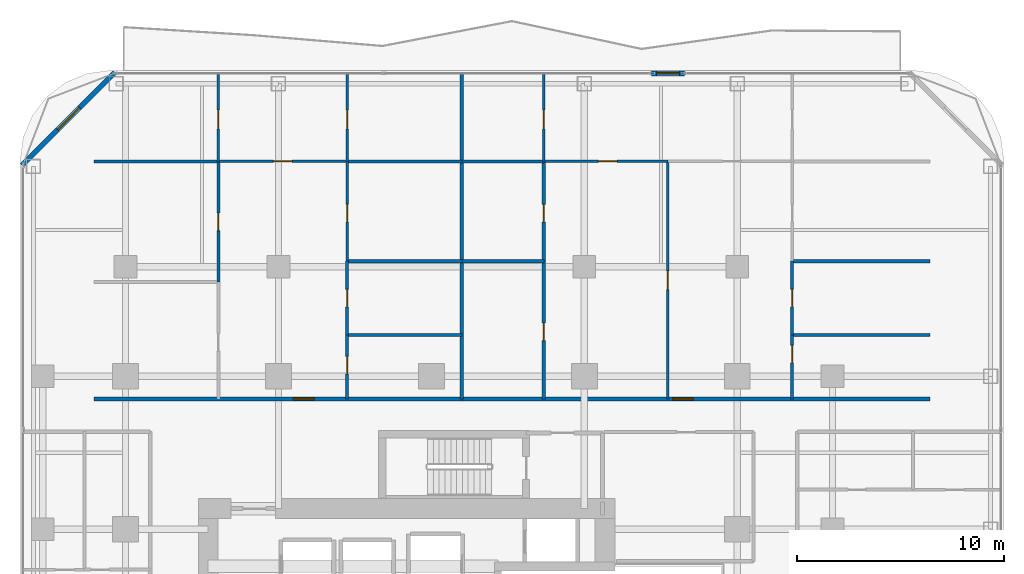
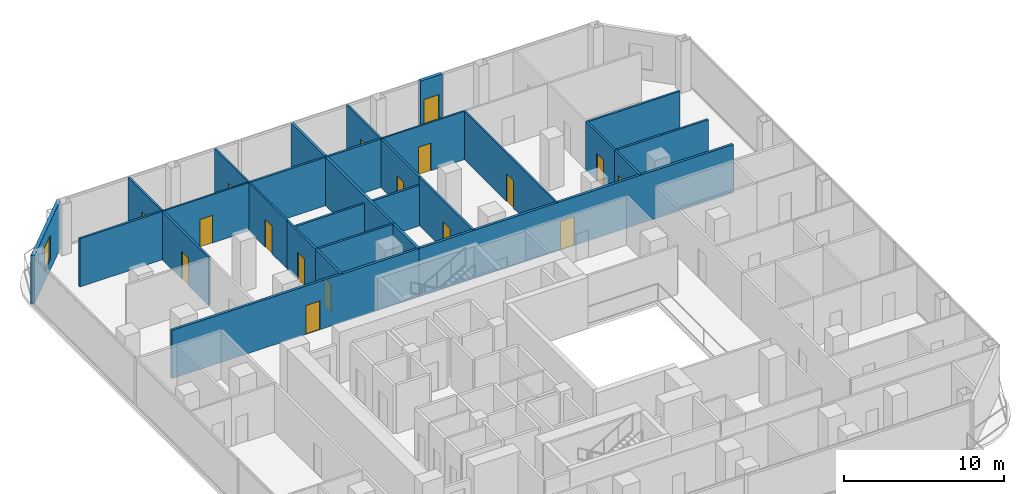
# One storey, part 23 of 27: 27 walls, 17 doors, 1 window, 18 openings.
"""IFC4 building model written with IfcOpenShell, lengths in metres."""

from ifc_helpers import new_model, si_unit, direction, frame, frame_2d, origin, place, context, subcontext, project, spatial, rectangle, extrude, material, layer, layer_set, type_object, element, fill, save


model = new_model("IFC4")

# Units and contexts
model_context = context("Model", 3, precision=1e-05, world=origin(), true_north=direction((0.0, 1.0)))
body_context = subcontext(model_context, "Body", "Model", "MODEL_VIEW")
ifc_project = project(units=[si_unit("LENGTHUNIT", "METRE"), si_unit("AREAUNIT", "SQUARE_METRE"), si_unit("VOLUMEUNIT", "CUBIC_METRE"), si_unit("PLANEANGLEUNIT", "RADIAN"), si_unit("MASSUNIT", "GRAM", prefix="KILO")], contexts=[model_context])

# Site, building, storey
site_placement = place(None, origin())
site = spatial("IfcSite", under=ifc_project, at=site_placement, CompositionType="ELEMENT")
building_placement = place(site_placement, origin())
building = spatial("IfcBuilding", under=site, at=building_placement, Name="Khorvyn Point Tower", CompositionType="ELEMENT")
storey_placement = place(building_placement, frame((0.0, 0.0, 125.10009765625)))
storey = spatial("IfcBuildingStorey", under=building, at=storey_placement, Name="L31", CompositionType="ELEMENT", Elevation=125.10009765625)

# Wall, opening, door
ifc_material_1 = material(Name="Double acoustic gypsum on twin steel stud", Category="steel")
ifc_layer_1 = layer(ifc_material_1, 0.179931640625)
ifc_layer_set_1 = layer_set([ifc_layer_1], Name="Acoustic Double-Stud Apartment Demising Wall 180")
wall_type_1 = type_object("IfcWallType", Name="Acoustic Double-Stud Apartment Demising Wall 180", PredefinedType="PARTITIONING", material=ifc_layer_set_1)
wall_1_placement = place(storey_placement, frame((-16.320068359375, 13.699951171875, 0.0), z_axis=(0.0, 0.0, 1.0), x_axis=(1.0, 0.0, 0.0)))
wall_1 = element("IfcWall", 1, at=wall_1_placement, inside=storey, type_object=wall_type_1, Name="Wall", PredefinedType="PARTITIONING", context=body_context, shape_type="SweptSolid", body=[
    extrude(rectangle(XDim=17.794189453125, YDim=0.179931640625, at=frame_2d((8.89697265625, 0.0))), origin(), (0.0, 0.0, 1.0), 3.679931640625),
])
opening_1_placement = place(wall_1_placement, frame((9.650390625, 0.0, 0.0)))
opening_1 = element("IfcOpeningElement", 2, at=opening_1_placement, cuts=wall_1, Name="Opening ID-AP60", PredefinedType="OPENING", context=body_context, shape_type="SweptSolid", body=[
    extrude(rectangle(XDim=1.0, YDim=2.199951171875, at=frame_2d((0.5, 1.10009765625))), frame((0.0, 0.099853515625, 0.0), z_axis=(0.0, -1.0, 0.0), x_axis=(1.0, 0.0, 0.0)), (0.0, 0.0, 1.0), 0.199951171875),
])
ifc_material_2 = material(Name="Engineered hardwood fire-rated leaf", Category="wood")
door_type_1 = type_object("IfcDoorType", Name="Acoustic Solid-Core Timber Apartment Entrance Door 1000x2200", OperationType="NOTDEFINED", PredefinedType="DOOR", material=ifc_material_2)
door_1_placement = place(opening_1_placement, origin())
door_1 = element("IfcDoor", 3, at=door_1_placement, inside=storey, type_object=door_type_1, Name="Door", OperationType="SINGLE_SWING_LEFT", OverallHeight=2.199951171875, OverallWidth=1.0, PredefinedType="DOOR", context=body_context, shape_type="SweptSolid", body=[
    extrude(rectangle(XDim=1.0, YDim=2.199951171875, at=frame_2d((0.5, 1.10009765625))), frame((0.0, 0.02490234375, 0.0), z_axis=(0.0, -1.0, 0.0), x_axis=(1.0, 0.0, 0.0)), (0.0, 0.0, 1.0), 0.050048828125),
])
fill(opening_1, door_1)

wall_2_placement = place(storey_placement, frame((1.47412109375, 13.699951171875, 0.0), z_axis=(0.0, 0.0, 1.0), x_axis=(1.0, 0.0, 0.0)))
wall_2 = element("IfcWall", 4, at=wall_2_placement, inside=storey, type_object=wall_type_1, Name="Wall", PredefinedType="PARTITIONING", context=body_context, shape_type="SweptSolid", body=[
    extrude(rectangle(XDim=22.64599609375, YDim=0.179931640625, at=frame_2d((11.322998046875, 0.0))), origin(), (0.0, 0.0, 1.0), 3.679931640625),
])
opening_2_placement = place(wall_2_placement, frame((10.19580078125, 0.0, 0.0)))
opening_2 = element("IfcOpeningElement", 5, at=opening_2_placement, cuts=wall_2, Name="Opening ID-AP60", PredefinedType="OPENING", context=body_context, shape_type="SweptSolid", body=[
    extrude(rectangle(XDim=1.0, YDim=2.199951171875, at=frame_2d((0.5, 1.10009765625))), frame((0.0, 0.099853515625, 0.0), z_axis=(0.0, -1.0, 0.0), x_axis=(1.0, 0.0, 0.0)), (0.0, 0.0, 1.0), 0.199951171875),
])
door_2_placement = place(opening_2_placement, origin())
door_2 = element("IfcDoor", 6, at=door_2_placement, inside=storey, type_object=door_type_1, Name="Door", OperationType="SINGLE_SWING_RIGHT", OverallHeight=2.199951171875, OverallWidth=1.0, PredefinedType="DOOR", context=body_context, shape_type="SweptSolid", body=[
    extrude(rectangle(XDim=1.0, YDim=2.199951171875, at=frame_2d((0.5, 1.10009765625))), frame((0.0, 0.02490234375, 0.0), z_axis=(0.0, -1.0, 0.0), x_axis=(1.0, 0.0, 0.0)), (0.0, 0.0, 1.0), 0.050048828125),
])
fill(opening_2, door_2)

# Wall
wall_3_placement = place(storey_placement, frame((1.47412109375, 13.699951171875, 0.0), z_axis=(0.0, 0.0, 1.0), x_axis=(0.0, 1.0, 0.0)))
element("IfcWall", 7, at=wall_3_placement, inside=storey, type_object=wall_type_1, Name="Wall", PredefinedType="PARTITIONING", context=body_context, shape_type="SweptSolid", body=[
    extrude(rectangle(XDim=15.72998046875, YDim=0.179931640625, at=frame_2d((7.864990234375, 0.0))), origin(), (0.0, 0.0, 1.0), 3.679931640625),
])

# Wall, opening, door
ifc_material_3 = material(Name="Pale anodised aluminium rainscreen on steel stud", Category="steel")
ifc_layer_2 = layer(ifc_material_3, 0.239990234375)
ifc_layer_set_2 = layer_set([ifc_layer_2], Name="Anodised Aluminium Insulated Corner Spandrel Wall 240")
wall_type_2 = type_object("IfcWallType", Name="Anodised Aluminium Insulated Corner Spandrel Wall 240", PredefinedType="SOLIDWALL", material=ifc_layer_set_2)
wall_4_placement = place(storey_placement, frame((10.654052734375, 29.449951171875, 0.0), z_axis=(0.0, 0.0, 1.0), x_axis=(1.0, 0.0, 0.0)))
wall_4 = element("IfcWall", 8, at=wall_4_placement, inside=storey, type_object=wall_type_2, Name="L31 North Outdoor Threshold Wall", PredefinedType="SOLIDWALL", context=body_context, shape_type="SweptSolid", body=[
    extrude(rectangle(XDim=1.579833984375, YDim=0.239990234375, at=frame_2d((0.7900390625, 0.0))), origin(), (0.0, 0.0, 1.0), 3.679931640625),
])
opening_3_placement = place(wall_4_placement, frame((0.239990234375, 0.0, 0.0)))
opening_3 = element("IfcOpeningElement", 9, at=opening_3_placement, cuts=wall_4, Name="Opening BD-1122", PredefinedType="OPENING", context=body_context, shape_type="SweptSolid", body=[
    extrude(rectangle(XDim=1.10009765625, YDim=2.199951171875, at=frame_2d((0.550048828125, 1.10009765625))), frame((0.0, 0.1298828125, 0.0), z_axis=(0.0, -1.0, 0.0), x_axis=(1.0, 0.0, 0.0)), (0.0, 0.0, 1.0), 0.260009765625),
])
ifc_material_4 = material(Name="Anodised aluminium 6063-T6 and laminated Low-E glass", Category="aluminium")
door_type_2 = type_object("IfcDoorType", Name="Glazed Balcony and Terrace Threshold Door 1100x2200", OperationType="NOTDEFINED", PredefinedType="DOOR", material=ifc_material_4)
door_3_placement = place(opening_3_placement, origin())
door_3 = element("IfcDoor", 10, at=door_3_placement, inside=storey, type_object=door_type_2, Name="L31 North Glazed Balcony Outdoor Door", OperationType="SINGLE_SWING_LEFT", OverallHeight=2.199951171875, OverallWidth=1.10009765625, PredefinedType="DOOR", context=body_context, shape_type="SweptSolid", body=[
    extrude(rectangle(XDim=1.10009765625, YDim=2.199951171875, at=frame_2d((0.550048828125, 1.10009765625))), frame((0.0, 0.02490234375, 0.0), z_axis=(0.0, -1.0, 0.0), x_axis=(1.0, 0.0, 0.0)), (0.0, 0.0, 1.0), 0.050048828125),
])
fill(opening_3, door_3)

# Wall, opening, window
wall_5_placement = place(storey_placement, frame((-19.79248046875, 25.007568359375, 0.0), z_axis=(0.0, 0.0, 1.0), x_axis=(0.707106781187, 0.707106781187, 0.0)))
wall_5 = element("IfcWall", 11, at=wall_5_placement, inside=storey, type_object=wall_type_2, Name="L31 Rounded Corner Wall NW", PredefinedType="SOLIDWALL", context=body_context, shape_type="SweptSolid", body=[
    extrude(rectangle(XDim=6.342529296875, YDim=0.239990234375, at=frame_2d((3.17138671875, 0.0))), origin(), (0.0, 0.0, 1.0), 3.679931640625),
])
opening_4_placement = place(wall_5_placement, frame((2.42138671875, 0.0, 0.800048828125)))
opening_4 = element("IfcOpeningElement", 12, at=opening_4_placement, cuts=wall_5, Name="Opening WN-1518", PredefinedType="OPENING", context=body_context, shape_type="SweptSolid", body=[
    extrude(rectangle(XDim=1.5, YDim=1.85009765625, at=frame_2d((0.75, 0.925048828125))), frame((0.0, 0.1298828125, 0.0), z_axis=(0.0, -1.0, 0.0), x_axis=(1.0, 0.0, 0.0)), (0.0, 0.0, 1.0), 0.260009765625),
])
window_type = type_object("IfcWindowType", Name="Anodised Aluminium Rounded-Corner Panoramic Window 1500x1850", PartitioningType="SINGLE_PANEL", PredefinedType="WINDOW", material=ifc_material_4)
window_placement = place(opening_4_placement, origin())
window = element("IfcWindow", 13, at=window_placement, inside=storey, type_object=window_type, Name="L31 Corner Panoramic Window NW", OverallHeight=1.85009765625, OverallWidth=1.5, PartitioningType="SINGLE_PANEL", PredefinedType="WINDOW", context=body_context, shape_type="SweptSolid", body=[
    extrude(rectangle(XDim=1.5, YDim=1.85009765625, at=frame_2d((0.75, 0.925048828125))), frame((0.0, 0.030029296875, 0.0), z_axis=(0.0, -1.0, 0.0), x_axis=(1.0, 0.0, 0.0)), (0.0, 0.0, 1.0), 0.06005859375),
])
fill(opening_4, window)

# Wall, opening, door
ifc_material_5 = material(Name="Gypsum plasterboard on steel stud", Category="steel")
ifc_layer_3 = layer(ifc_material_5, 0.1201171875)
ifc_layer_set_3 = layer_set([ifc_layer_3], Name="Gypsum Acoustic Stud Room Partition Wall 120")
wall_type_3 = type_object("IfcWallType", Name="Gypsum Acoustic Stud Room Partition Wall 120", PredefinedType="PARTITIONING", material=ifc_layer_set_3)
wall_6_placement = place(storey_placement, frame((-10.305908203125, 25.18994140625, 0.0), z_axis=(0.0, 0.0, 1.0), x_axis=(1.0, 0.0, 0.0)))
wall_6 = element("IfcWall", 14, at=wall_6_placement, inside=storey, type_object=wall_type_3, Name="Wall", PredefinedType="PARTITIONING", context=body_context, shape_type="SweptSolid", body=[
    extrude(rectangle(XDim=6.22802734375, YDim=0.1201171875, at=frame_2d((3.114013671875, 0.0))), origin(), (0.0, 0.0, 1.0), 3.679931640625),
])
opening_5_placement = place(wall_6_placement, frame((2.6640625, 0.0, 0.0)))
opening_5 = element("IfcOpeningElement", 15, at=opening_5_placement, cuts=wall_6, Name="Opening ID-RM90", PredefinedType="OPENING", context=body_context, shape_type="SweptSolid", body=[
    extrude(rectangle(XDim=0.89990234375, YDim=2.10009765625, at=frame_2d((0.449951171875, 1.050048828125))), frame((0.0, 0.070068359375, 0.0), z_axis=(0.0, -1.0, 0.0), x_axis=(1.0, 0.0, 0.0)), (0.0, 0.0, 1.0), 0.14013671875),
])
ifc_material_6 = material(Name="Engineered oak veneer timber", Category="wood")
door_type_3 = type_object("IfcDoorType", Name="Flush Engineered Timber Room Door 900x2100", OperationType="NOTDEFINED", PredefinedType="DOOR", material=ifc_material_6)
door_4_placement = place(opening_5_placement, origin())
door_4 = element("IfcDoor", 16, at=door_4_placement, inside=storey, type_object=door_type_3, Name="Door", OperationType="SINGLE_SWING_RIGHT", OverallHeight=2.10009765625, OverallWidth=0.89990234375, PredefinedType="DOOR", context=body_context, shape_type="SweptSolid", body=[
    extrude(rectangle(XDim=0.89990234375, YDim=2.10009765625, at=frame_2d((0.449951171875, 1.050048828125))), frame((0.0, 0.02490234375, 0.0), z_axis=(0.0, -1.0, 0.0), x_axis=(1.0, 0.0, 0.0)), (0.0, 0.0, 1.0), 0.050048828125),
])
fill(opening_5, door_4)

wall_7_placement = place(storey_placement, frame((-10.305908203125, 25.18994140625, 0.0), z_axis=(0.0, 0.0, 1.0), x_axis=(0.0, 1.0, 0.0)))
wall_7 = element("IfcWall", 17, at=wall_7_placement, inside=storey, type_object=wall_type_3, Name="Wall", PredefinedType="PARTITIONING", context=body_context, shape_type="SweptSolid", body=[
    extrude(rectangle(XDim=4.239990234375, YDim=0.1201171875, at=frame_2d((2.1201171875, 0.0))), origin(), (0.0, 0.0, 1.0), 3.679931640625),
])
opening_6_placement = place(wall_7_placement, frame((1.581298828125, 0.0, 0.0)))
opening_6 = element("IfcOpeningElement", 18, at=opening_6_placement, cuts=wall_7, Name="Opening ID-RM90", PredefinedType="OPENING", context=body_context, shape_type="SweptSolid", body=[
    extrude(rectangle(XDim=0.89990234375, YDim=2.10009765625, at=frame_2d((0.449951171875, 1.050048828125))), frame((0.0, 0.070068359375, 0.0), z_axis=(0.0, -1.0, 0.0), x_axis=(1.0, 0.0, 0.0)), (0.0, 0.0, 1.0), 0.14013671875),
])
door_5_placement = place(opening_6_placement, origin())
door_5 = element("IfcDoor", 19, at=door_5_placement, inside=storey, type_object=door_type_3, Name="Door", OperationType="SINGLE_SWING_LEFT", OverallHeight=2.10009765625, OverallWidth=0.89990234375, PredefinedType="DOOR", context=body_context, shape_type="SweptSolid", body=[
    extrude(rectangle(XDim=0.89990234375, YDim=2.10009765625, at=frame_2d((0.449951171875, 1.050048828125))), frame((0.0, 0.02490234375, 0.0), z_axis=(0.0, -1.0, 0.0), x_axis=(1.0, 0.0, 0.0)), (0.0, 0.0, 1.0), 0.050048828125),
])
fill(opening_6, door_5)

wall_8_placement = place(storey_placement, frame((-4.077880859375, 20.364013671875, 0.0), z_axis=(0.0, 0.0, 1.0), x_axis=(0.0, 1.0, 0.0)))
wall_8 = element("IfcWall", 20, at=wall_8_placement, inside=storey, type_object=wall_type_3, Name="Wall", PredefinedType="PARTITIONING", context=body_context, shape_type="SweptSolid", body=[
    extrude(rectangle(XDim=4.825927734375, YDim=0.1201171875, at=frame_2d((2.4130859375, 0.0))), origin(), (0.0, 0.0, 1.0), 3.679931640625),
])
opening_7_placement = place(wall_8_placement, frame((1.90087890625, 0.0, 0.0)))
opening_7 = element("IfcOpeningElement", 21, at=opening_7_placement, cuts=wall_8, Name="Opening ID-WC85", PredefinedType="OPENING", context=body_context, shape_type="SweptSolid", body=[
    extrude(rectangle(XDim=0.85009765625, YDim=2.10009765625, at=frame_2d((0.425048828125, 1.050048828125))), frame((0.0, 0.070068359375, 0.0), z_axis=(0.0, -1.0, 0.0), x_axis=(1.0, 0.0, 0.0)), (0.0, 0.0, 1.0), 0.14013671875),
])
ifc_material_7 = material(Name="High-pressure laminate on moisture-resistant core", Category="wood")
door_type_4 = type_object("IfcDoorType", Name="Moisture-Resistant Accessible Washroom Door 850x2100", OperationType="NOTDEFINED", PredefinedType="DOOR", material=ifc_material_7)
door_6_placement = place(opening_7_placement, origin())
door_6 = element("IfcDoor", 22, at=door_6_placement, inside=storey, type_object=door_type_4, Name="Door", OperationType="SINGLE_SWING_RIGHT", OverallHeight=2.10009765625, OverallWidth=0.85009765625, PredefinedType="DOOR", context=body_context, shape_type="SweptSolid", body=[
    extrude(rectangle(XDim=0.85009765625, YDim=2.10009765625, at=frame_2d((0.425048828125, 1.050048828125))), frame((0.0, 0.02490234375, 0.0), z_axis=(0.0, -1.0, 0.0), x_axis=(1.0, 0.0, 0.0)), (0.0, 0.0, 1.0), 0.050048828125),
])
fill(opening_7, door_6)

wall_9_placement = place(storey_placement, frame((-4.077880859375, 25.18994140625, 0.0), z_axis=(0.0, 0.0, 1.0), x_axis=(0.0, 1.0, 0.0)))
wall_9 = element("IfcWall", 23, at=wall_9_placement, inside=storey, type_object=wall_type_3, Name="Wall", PredefinedType="PARTITIONING", context=body_context, shape_type="SweptSolid", body=[
    extrude(rectangle(XDim=4.239990234375, YDim=0.1201171875, at=frame_2d((2.1201171875, 0.0))), origin(), (0.0, 0.0, 1.0), 3.679931640625),
])
opening_8_placement = place(wall_9_placement, frame((1.581298828125, 0.0, 0.0)))
opening_8 = element("IfcOpeningElement", 24, at=opening_8_placement, cuts=wall_9, Name="Opening ID-RM90", PredefinedType="OPENING", context=body_context, shape_type="SweptSolid", body=[
    extrude(rectangle(XDim=0.89990234375, YDim=2.10009765625, at=frame_2d((0.449951171875, 1.050048828125))), frame((0.0, 0.070068359375, 0.0), z_axis=(0.0, -1.0, 0.0), x_axis=(1.0, 0.0, 0.0)), (0.0, 0.0, 1.0), 0.14013671875),
])
door_7_placement = place(opening_8_placement, origin())
door_7 = element("IfcDoor", 25, at=door_7_placement, inside=storey, type_object=door_type_3, Name="Door", OperationType="SINGLE_SWING_LEFT", OverallHeight=2.10009765625, OverallWidth=0.89990234375, PredefinedType="DOOR", context=body_context, shape_type="SweptSolid", body=[
    extrude(rectangle(XDim=0.89990234375, YDim=2.10009765625, at=frame_2d((0.449951171875, 1.050048828125))), frame((0.0, 0.02490234375, 0.0), z_axis=(0.0, -1.0, 0.0), x_axis=(1.0, 0.0, 0.0)), (0.0, 0.0, 1.0), 0.050048828125),
])
fill(opening_8, door_7)

wall_10_placement = place(storey_placement, frame((5.43798828125, 25.18994140625, 0.0), z_axis=(0.0, 0.0, 1.0), x_axis=(1.0, 0.0, 0.0)))
wall_10 = element("IfcWall", 26, at=wall_10_placement, inside=storey, type_object=wall_type_3, Name="Wall", PredefinedType="PARTITIONING", context=body_context, shape_type="SweptSolid", body=[
    extrude(rectangle(XDim=6.006103515625, YDim=0.1201171875, at=frame_2d((3.0029296875, 0.0))), origin(), (0.0, 0.0, 1.0), 3.679931640625),
])
opening_9_placement = place(wall_10_placement, frame((2.6416015625, 0.0, 0.0)))
opening_9 = element("IfcOpeningElement", 27, at=opening_9_placement, cuts=wall_10, Name="Opening ID-RM90", PredefinedType="OPENING", context=body_context, shape_type="SweptSolid", body=[
    extrude(rectangle(XDim=0.89990234375, YDim=2.10009765625, at=frame_2d((0.449951171875, 1.050048828125))), frame((0.0, 0.070068359375, 0.0), z_axis=(0.0, -1.0, 0.0), x_axis=(1.0, 0.0, 0.0)), (0.0, 0.0, 1.0), 0.14013671875),
])
door_8_placement = place(opening_9_placement, origin())
door_8 = element("IfcDoor", 28, at=door_8_placement, inside=storey, type_object=door_type_3, Name="Door", OperationType="SINGLE_SWING_LEFT", OverallHeight=2.10009765625, OverallWidth=0.89990234375, PredefinedType="DOOR", context=body_context, shape_type="SweptSolid", body=[
    extrude(rectangle(XDim=0.89990234375, YDim=2.10009765625, at=frame_2d((0.449951171875, 1.050048828125))), frame((0.0, 0.02490234375, 0.0), z_axis=(0.0, -1.0, 0.0), x_axis=(1.0, 0.0, 0.0)), (0.0, 0.0, 1.0), 0.050048828125),
])
fill(opening_9, door_8)

wall_11_placement = place(storey_placement, frame((11.444091796875, 13.699951171875, 0.0), z_axis=(0.0, 0.0, 1.0), x_axis=(0.0, 1.0, 0.0)))
wall_11 = element("IfcWall", 29, at=wall_11_placement, inside=storey, type_object=wall_type_3, Name="Wall", PredefinedType="PARTITIONING", context=body_context, shape_type="SweptSolid", body=[
    extrude(rectangle(XDim=11.489990234375, YDim=0.1201171875, at=frame_2d((5.7451171875, 0.0))), origin(), (0.0, 0.0, 1.0), 3.679931640625),
])
opening_10_placement = place(wall_11_placement, frame((5.294921875, 0.0, 0.0)))
opening_10 = element("IfcOpeningElement", 30, at=opening_10_placement, cuts=wall_11, Name="Opening ID-RM90", PredefinedType="OPENING", context=body_context, shape_type="SweptSolid", body=[
    extrude(rectangle(XDim=0.89990234375, YDim=2.10009765625, at=frame_2d((0.449951171875, 1.050048828125))), frame((0.0, 0.070068359375, 0.0), z_axis=(0.0, -1.0, 0.0), x_axis=(1.0, 0.0, 0.0)), (0.0, 0.0, 1.0), 0.14013671875),
])
door_9_placement = place(opening_10_placement, origin())
door_9 = element("IfcDoor", 31, at=door_9_placement, inside=storey, type_object=door_type_3, Name="Door", OperationType="SINGLE_SWING_LEFT", OverallHeight=2.10009765625, OverallWidth=0.89990234375, PredefinedType="DOOR", context=body_context, shape_type="SweptSolid", body=[
    extrude(rectangle(XDim=0.89990234375, YDim=2.10009765625, at=frame_2d((0.449951171875, 1.050048828125))), frame((0.0, 0.02490234375, 0.0), z_axis=(0.0, -1.0, 0.0), x_axis=(1.0, 0.0, 0.0)), (0.0, 0.0, 1.0), 0.050048828125),
])
fill(opening_10, door_9)

wall_12_placement = place(storey_placement, frame((5.43798828125, 25.18994140625, 0.0), z_axis=(0.0, 0.0, 1.0), x_axis=(0.0, 1.0, 0.0)))
wall_12 = element("IfcWall", 32, at=wall_12_placement, inside=storey, type_object=wall_type_3, Name="Wall", PredefinedType="PARTITIONING", context=body_context, shape_type="SweptSolid", body=[
    extrude(rectangle(XDim=4.239990234375, YDim=0.1201171875, at=frame_2d((2.1201171875, 0.0))), origin(), (0.0, 0.0, 1.0), 3.679931640625),
])
opening_11_placement = place(wall_12_placement, frame((1.581298828125, 0.0, 0.0)))
opening_11 = element("IfcOpeningElement", 33, at=opening_11_placement, cuts=wall_12, Name="Opening ID-RM90", PredefinedType="OPENING", context=body_context, shape_type="SweptSolid", body=[
    extrude(rectangle(XDim=0.89990234375, YDim=2.10009765625, at=frame_2d((0.449951171875, 1.050048828125))), frame((0.0, 0.070068359375, 0.0), z_axis=(0.0, -1.0, 0.0), x_axis=(1.0, 0.0, 0.0)), (0.0, 0.0, 1.0), 0.14013671875),
])
door_10_placement = place(opening_11_placement, origin())
door_10 = element("IfcDoor", 34, at=door_10_placement, inside=storey, type_object=door_type_3, Name="Door", OperationType="SINGLE_SWING_RIGHT", OverallHeight=2.10009765625, OverallWidth=0.89990234375, PredefinedType="DOOR", context=body_context, shape_type="SweptSolid", body=[
    extrude(rectangle(XDim=0.89990234375, YDim=2.10009765625, at=frame_2d((0.449951171875, 1.050048828125))), frame((0.0, 0.02490234375, 0.0), z_axis=(0.0, -1.0, 0.0), x_axis=(1.0, 0.0, 0.0)), (0.0, 0.0, 1.0), 0.050048828125),
])
fill(opening_11, door_10)

ifc_material_8 = material(Name="Moisture-resistant gypsum and cement board", Category="gypsum")
ifc_layer_4 = layer(ifc_material_8, 0.14990234375)
ifc_layer_set_4 = layer_set([ifc_layer_4], Name="Moisture-Resistant Wet-Room Partition Wall 150")
wall_type_4 = type_object("IfcWallType", Name="Moisture-Resistant Wet-Room Partition Wall 150", PredefinedType="PARTITIONING", material=ifc_layer_set_4)
wall_13_placement = place(storey_placement, frame((-10.305908203125, 19.35302734375, 0.0), z_axis=(0.0, 0.0, 1.0), x_axis=(0.0, 1.0, 0.0)))
wall_13 = element("IfcWall", 35, at=wall_13_placement, inside=storey, type_object=wall_type_4, Name="Wall", PredefinedType="PARTITIONING", context=body_context, shape_type="SweptSolid", body=[
    extrude(rectangle(XDim=5.8369140625, YDim=0.14990234375, at=frame_2d((2.91845703125, 0.0))), origin(), (0.0, 0.0, 1.0), 3.679931640625),
])
opening_12_placement = place(wall_13_placement, frame((2.493408203125, 0.0, 0.0)))
opening_12 = element("IfcOpeningElement", 36, at=opening_12_placement, cuts=wall_13, Name="Opening ID-WC85", PredefinedType="OPENING", context=body_context, shape_type="SweptSolid", body=[
    extrude(rectangle(XDim=0.85009765625, YDim=2.10009765625, at=frame_2d((0.425048828125, 1.050048828125))), frame((0.0, 0.0849609375, 0.0), z_axis=(0.0, -1.0, 0.0), x_axis=(1.0, 0.0, 0.0)), (0.0, 0.0, 1.0), 0.169921875),
])
door_11_placement = place(opening_12_placement, origin())
door_11 = element("IfcDoor", 37, at=door_11_placement, inside=storey, type_object=door_type_4, Name="Door", OperationType="SINGLE_SWING_RIGHT", OverallHeight=2.10009765625, OverallWidth=0.85009765625, PredefinedType="DOOR", context=body_context, shape_type="SweptSolid", body=[
    extrude(rectangle(XDim=0.85009765625, YDim=2.10009765625, at=frame_2d((0.425048828125, 1.050048828125))), frame((0.0, 0.02490234375, 0.0), z_axis=(0.0, -1.0, 0.0), x_axis=(1.0, 0.0, 0.0)), (0.0, 0.0, 1.0), 0.050048828125),
])
fill(opening_12, door_11)

wall_14_placement = place(storey_placement, frame((-4.077880859375, 13.699951171875, 0.0), z_axis=(0.0, 0.0, 1.0), x_axis=(0.0, 1.0, 0.0)))
wall_14 = element("IfcWall", 38, at=wall_14_placement, inside=storey, type_object=wall_type_4, Name="Wall", PredefinedType="PARTITIONING", context=body_context, shape_type="SweptSolid", body=[
    extrude(rectangle(XDim=3.10205078125, YDim=0.14990234375, at=frame_2d((1.551025390625, 0.0))), origin(), (0.0, 0.0, 1.0), 3.679931640625),
])
opening_13_placement = place(wall_14_placement, frame((1.2138671875, 0.0, 0.0)))
opening_13 = element("IfcOpeningElement", 39, at=opening_13_placement, cuts=wall_14, Name="Opening ID-WC85", PredefinedType="OPENING", context=body_context, shape_type="SweptSolid", body=[
    extrude(rectangle(XDim=0.85009765625, YDim=2.10009765625, at=frame_2d((0.425048828125, 1.050048828125))), frame((0.0, 0.0849609375, 0.0), z_axis=(0.0, -1.0, 0.0), x_axis=(1.0, 0.0, 0.0)), (0.0, 0.0, 1.0), 0.169921875),
])
door_12_placement = place(opening_13_placement, origin())
door_12 = element("IfcDoor", 40, at=door_12_placement, inside=storey, type_object=door_type_4, Name="Door", OperationType="SINGLE_SWING_RIGHT", OverallHeight=2.10009765625, OverallWidth=0.85009765625, PredefinedType="DOOR", context=body_context, shape_type="SweptSolid", body=[
    extrude(rectangle(XDim=0.85009765625, YDim=2.10009765625, at=frame_2d((0.425048828125, 1.050048828125))), frame((0.0, 0.02490234375, 0.0), z_axis=(0.0, -1.0, 0.0), x_axis=(1.0, 0.0, 0.0)), (0.0, 0.0, 1.0), 0.050048828125),
])
fill(opening_13, door_12)

wall_15_placement = place(storey_placement, frame((-4.077880859375, 16.802001953125, 0.0), z_axis=(0.0, 0.0, 1.0), x_axis=(0.0, 1.0, 0.0)))
wall_15 = element("IfcWall", 41, at=wall_15_placement, inside=storey, type_object=wall_type_4, Name="Wall", PredefinedType="PARTITIONING", context=body_context, shape_type="SweptSolid", body=[
    extrude(rectangle(XDim=3.56201171875, YDim=0.14990234375, at=frame_2d((1.781005859375, 0.0))), origin(), (0.0, 0.0, 1.0), 3.679931640625),
])
opening_14_placement = place(wall_15_placement, frame((1.35595703125, 0.0, 0.0)))
opening_14 = element("IfcOpeningElement", 42, at=opening_14_placement, cuts=wall_15, Name="Opening ID-WC85", PredefinedType="OPENING", context=body_context, shape_type="SweptSolid", body=[
    extrude(rectangle(XDim=0.85009765625, YDim=2.10009765625, at=frame_2d((0.425048828125, 1.050048828125))), frame((0.0, 0.0849609375, 0.0), z_axis=(0.0, -1.0, 0.0), x_axis=(1.0, 0.0, 0.0)), (0.0, 0.0, 1.0), 0.169921875),
])
door_13_placement = place(opening_14_placement, origin())
door_13 = element("IfcDoor", 43, at=door_13_placement, inside=storey, type_object=door_type_4, Name="Door", OperationType="SINGLE_SWING_LEFT", OverallHeight=2.10009765625, OverallWidth=0.85009765625, PredefinedType="DOOR", context=body_context, shape_type="SweptSolid", body=[
    extrude(rectangle(XDim=0.85009765625, YDim=2.10009765625, at=frame_2d((0.425048828125, 1.050048828125))), frame((0.0, 0.02490234375, 0.0), z_axis=(0.0, -1.0, 0.0), x_axis=(1.0, 0.0, 0.0)), (0.0, 0.0, 1.0), 0.050048828125),
])
fill(opening_14, door_13)

wall_16_placement = place(storey_placement, frame((5.43798828125, 13.699951171875, 0.0), z_axis=(0.0, 0.0, 1.0), x_axis=(0.0, 1.0, 0.0)))
wall_16 = element("IfcWall", 44, at=wall_16_placement, inside=storey, type_object=wall_type_4, Name="Wall", PredefinedType="PARTITIONING", context=body_context, shape_type="SweptSolid", body=[
    extrude(rectangle(XDim=6.6640625, YDim=0.14990234375, at=frame_2d((3.33203125, 0.0))), origin(), (0.0, 0.0, 1.0), 3.679931640625),
])
opening_15_placement = place(wall_16_placement, frame((2.818359375, 0.0, 0.0)))
opening_15 = element("IfcOpeningElement", 45, at=opening_15_placement, cuts=wall_16, Name="Opening ID-WC85", PredefinedType="OPENING", context=body_context, shape_type="SweptSolid", body=[
    extrude(rectangle(XDim=0.85009765625, YDim=2.10009765625, at=frame_2d((0.425048828125, 1.050048828125))), frame((0.0, 0.0849609375, 0.0), z_axis=(0.0, -1.0, 0.0), x_axis=(1.0, 0.0, 0.0)), (0.0, 0.0, 1.0), 0.169921875),
])
door_14_placement = place(opening_15_placement, origin())
door_14 = element("IfcDoor", 46, at=door_14_placement, inside=storey, type_object=door_type_4, Name="Door", OperationType="SINGLE_SWING_RIGHT", OverallHeight=2.10009765625, OverallWidth=0.85009765625, PredefinedType="DOOR", context=body_context, shape_type="SweptSolid", body=[
    extrude(rectangle(XDim=0.85009765625, YDim=2.10009765625, at=frame_2d((0.425048828125, 1.050048828125))), frame((0.0, 0.02490234375, 0.0), z_axis=(0.0, -1.0, 0.0), x_axis=(1.0, 0.0, 0.0)), (0.0, 0.0, 1.0), 0.050048828125),
])
fill(opening_15, door_14)

wall_17_placement = place(storey_placement, frame((5.43798828125, 20.364013671875, 0.0), z_axis=(0.0, 0.0, 1.0), x_axis=(0.0, 1.0, 0.0)))
wall_17 = element("IfcWall", 47, at=wall_17_placement, inside=storey, type_object=wall_type_4, Name="Wall", PredefinedType="PARTITIONING", context=body_context, shape_type="SweptSolid", body=[
    extrude(rectangle(XDim=4.825927734375, YDim=0.14990234375, at=frame_2d((2.4130859375, 0.0))), origin(), (0.0, 0.0, 1.0), 3.679931640625),
])
opening_16_placement = place(wall_17_placement, frame((1.90087890625, 0.0, 0.0)))
opening_16 = element("IfcOpeningElement", 48, at=opening_16_placement, cuts=wall_17, Name="Opening ID-WC85", PredefinedType="OPENING", context=body_context, shape_type="SweptSolid", body=[
    extrude(rectangle(XDim=0.85009765625, YDim=2.10009765625, at=frame_2d((0.425048828125, 1.050048828125))), frame((0.0, 0.0849609375, 0.0), z_axis=(0.0, -1.0, 0.0), x_axis=(1.0, 0.0, 0.0)), (0.0, 0.0, 1.0), 0.169921875),
])
door_15_placement = place(opening_16_placement, origin())
door_15 = element("IfcDoor", 49, at=door_15_placement, inside=storey, type_object=door_type_4, Name="Door", OperationType="SINGLE_SWING_LEFT", OverallHeight=2.10009765625, OverallWidth=0.85009765625, PredefinedType="DOOR", context=body_context, shape_type="SweptSolid", body=[
    extrude(rectangle(XDim=0.85009765625, YDim=2.10009765625, at=frame_2d((0.425048828125, 1.050048828125))), frame((0.0, 0.02490234375, 0.0), z_axis=(0.0, -1.0, 0.0), x_axis=(1.0, 0.0, 0.0)), (0.0, 0.0, 1.0), 0.050048828125),
])
fill(opening_16, door_15)

wall_18_placement = place(storey_placement, frame((17.449951171875, 13.699951171875, 0.0), z_axis=(0.0, 0.0, 1.0), x_axis=(0.0, 1.0, 0.0)))
wall_18 = element("IfcWall", 50, at=wall_18_placement, inside=storey, type_object=wall_type_4, Name="Wall", PredefinedType="PARTITIONING", context=body_context, shape_type="SweptSolid", body=[
    extrude(rectangle(XDim=3.10205078125, YDim=0.14990234375, at=frame_2d((1.551025390625, 0.0))), origin(), (0.0, 0.0, 1.0), 3.679931640625),
])
opening_17_placement = place(wall_18_placement, frame((1.74072265625, 0.0, 0.0)))
opening_17 = element("IfcOpeningElement", 51, at=opening_17_placement, cuts=wall_18, Name="Opening ID-WC85", PredefinedType="OPENING", context=body_context, shape_type="SweptSolid", body=[
    extrude(rectangle(XDim=0.85009765625, YDim=2.10009765625, at=frame_2d((0.425048828125, 1.050048828125))), frame((0.0, 0.0849609375, 0.0), z_axis=(0.0, -1.0, 0.0), x_axis=(1.0, 0.0, 0.0)), (0.0, 0.0, 1.0), 0.169921875),
])
door_16_placement = place(opening_17_placement, origin())
door_16 = element("IfcDoor", 52, at=door_16_placement, inside=storey, type_object=door_type_4, Name="Door", OperationType="SINGLE_SWING_LEFT", OverallHeight=2.10009765625, OverallWidth=0.85009765625, PredefinedType="DOOR", context=body_context, shape_type="SweptSolid", body=[
    extrude(rectangle(XDim=0.85009765625, YDim=2.10009765625, at=frame_2d((0.425048828125, 1.050048828125))), frame((0.0, 0.02490234375, 0.0), z_axis=(0.0, -1.0, 0.0), x_axis=(1.0, 0.0, 0.0)), (0.0, 0.0, 1.0), 0.050048828125),
])
fill(opening_17, door_16)

wall_19_placement = place(storey_placement, frame((17.449951171875, 16.802001953125, 0.0), z_axis=(0.0, 0.0, 1.0), x_axis=(0.0, 1.0, 0.0)))
wall_19 = element("IfcWall", 53, at=wall_19_placement, inside=storey, type_object=wall_type_4, Name="Wall", PredefinedType="PARTITIONING", context=body_context, shape_type="SweptSolid", body=[
    extrude(rectangle(XDim=3.56201171875, YDim=0.14990234375, at=frame_2d((1.781005859375, 0.0))), origin(), (0.0, 0.0, 1.0), 3.679931640625),
])
opening_18_placement = place(wall_19_placement, frame((1.35595703125, 0.0, 0.0)))
opening_18 = element("IfcOpeningElement", 54, at=opening_18_placement, cuts=wall_19, Name="Opening ID-WC85", PredefinedType="OPENING", context=body_context, shape_type="SweptSolid", body=[
    extrude(rectangle(XDim=0.85009765625, YDim=2.10009765625, at=frame_2d((0.425048828125, 1.050048828125))), frame((0.0, 0.0849609375, 0.0), z_axis=(0.0, -1.0, 0.0), x_axis=(1.0, 0.0, 0.0)), (0.0, 0.0, 1.0), 0.169921875),
])
door_17_placement = place(opening_18_placement, origin())
door_17 = element("IfcDoor", 55, at=door_17_placement, inside=storey, type_object=door_type_4, Name="Door", OperationType="SINGLE_SWING_RIGHT", OverallHeight=2.10009765625, OverallWidth=0.85009765625, PredefinedType="DOOR", context=body_context, shape_type="SweptSolid", body=[
    extrude(rectangle(XDim=0.85009765625, YDim=2.10009765625, at=frame_2d((0.425048828125, 1.050048828125))), frame((0.0, 0.02490234375, 0.0), z_axis=(0.0, -1.0, 0.0), x_axis=(1.0, 0.0, 0.0)), (0.0, 0.0, 1.0), 0.050048828125),
])
fill(opening_18, door_17)

# Walls
wall_20_placement = place(storey_placement, frame((-16.320068359375, 25.18994140625, 0.0), z_axis=(0.0, 0.0, 1.0), x_axis=(1.0, 0.0, 0.0)))
element("IfcWall", 56, at=wall_20_placement, inside=storey, type_object=wall_type_4, Name="Wall", PredefinedType="PARTITIONING", context=body_context, shape_type="SweptSolid", body=[
    extrude(rectangle(XDim=6.01416015625, YDim=0.14990234375, at=frame_2d((3.007080078125, 0.0))), origin(), (0.0, 0.0, 1.0), 3.679931640625),
])
wall_21_placement = place(storey_placement, frame((-4.077880859375, 16.802001953125, 0.0), z_axis=(0.0, 0.0, 1.0), x_axis=(1.0, 0.0, 0.0)))
element("IfcWall", 57, at=wall_21_placement, inside=storey, type_object=wall_type_4, Name="Wall", PredefinedType="PARTITIONING", context=body_context, shape_type="SweptSolid", body=[
    extrude(rectangle(XDim=5.552001953125, YDim=0.14990234375, at=frame_2d((2.77587890625, 0.0))), origin(), (0.0, 0.0, 1.0), 3.679931640625),
])
wall_22_placement = place(storey_placement, frame((-4.077880859375, 20.364013671875, 0.0), z_axis=(0.0, 0.0, 1.0), x_axis=(1.0, 0.0, 0.0)))
element("IfcWall", 58, at=wall_22_placement, inside=storey, type_object=wall_type_4, Name="Wall", PredefinedType="PARTITIONING", context=body_context, shape_type="SweptSolid", body=[
    extrude(rectangle(XDim=5.552001953125, YDim=0.14990234375, at=frame_2d((2.77587890625, 0.0))), origin(), (0.0, 0.0, 1.0), 3.081787109375),
])
wall_23_placement = place(storey_placement, frame((-4.077880859375, 25.18994140625, 0.0), z_axis=(0.0, 0.0, 1.0), x_axis=(1.0, 0.0, 0.0)))
element("IfcWall", 59, at=wall_23_placement, inside=storey, type_object=wall_type_4, Name="Wall", PredefinedType="PARTITIONING", context=body_context, shape_type="SweptSolid", body=[
    extrude(rectangle(XDim=5.552001953125, YDim=0.14990234375, at=frame_2d((2.77587890625, 0.0))), origin(), (0.0, 0.0, 1.0), 3.679931640625),
])
wall_24_placement = place(storey_placement, frame((1.47412109375, 20.364013671875, 0.0), z_axis=(0.0, 0.0, 1.0), x_axis=(1.0, 0.0, 0.0)))
element("IfcWall", 60, at=wall_24_placement, inside=storey, type_object=wall_type_4, Name="Wall", PredefinedType="PARTITIONING", context=body_context, shape_type="SweptSolid", body=[
    extrude(rectangle(XDim=3.9638671875, YDim=0.14990234375, at=frame_2d((1.98193359375, 0.0))), origin(), (0.0, 0.0, 1.0), 3.081787109375),
])
wall_25_placement = place(storey_placement, frame((1.47412109375, 25.18994140625, 0.0), z_axis=(0.0, 0.0, 1.0), x_axis=(1.0, 0.0, 0.0)))
element("IfcWall", 61, at=wall_25_placement, inside=storey, type_object=wall_type_4, Name="Wall", PredefinedType="PARTITIONING", context=body_context, shape_type="SweptSolid", body=[
    extrude(rectangle(XDim=3.9638671875, YDim=0.14990234375, at=frame_2d((1.98193359375, 0.0))), origin(), (0.0, 0.0, 1.0), 3.679931640625),
])
for number, where, z_axis, x_axis, name in (
    (62, (17.449951171875, 16.802001953125, 0.0), (0.0, 0.0, 1.0), (1.0, 0.0, 0.0), "Wall"),
    (63, (17.449951171875, 20.364013671875, 0.0), (0.0, 0.0, 1.0), (1.0, 0.0, 0.0), "Wall"),
):
    element("IfcWall", number, at=place(storey_placement, frame(where, z_axis=z_axis, x_axis=x_axis)), inside=storey, type_object=wall_type_4, Name=name, PredefinedType="PARTITIONING", context=body_context, shape_type="SweptSolid", body=[
        extrude(rectangle(XDim=6.670166015625, YDim=0.14990234375, at=frame_2d((3.3349609375, 0.0))), origin(), (0.0, 0.0, 1.0), 3.679931640625),
    ])

save(model, "model.ifc")
